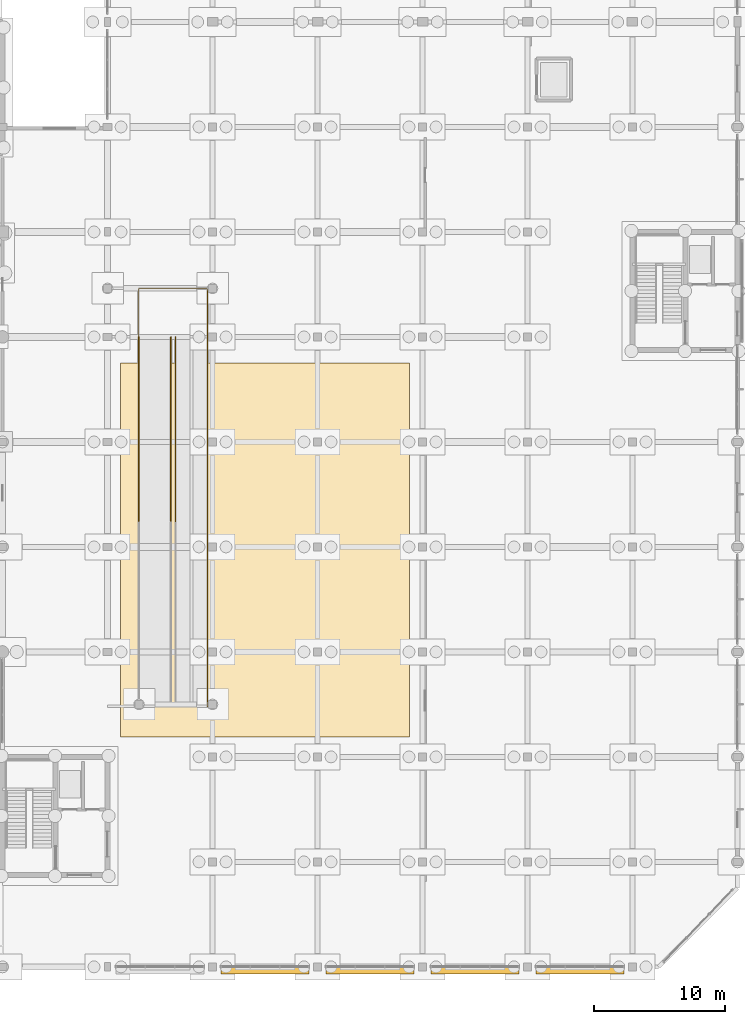
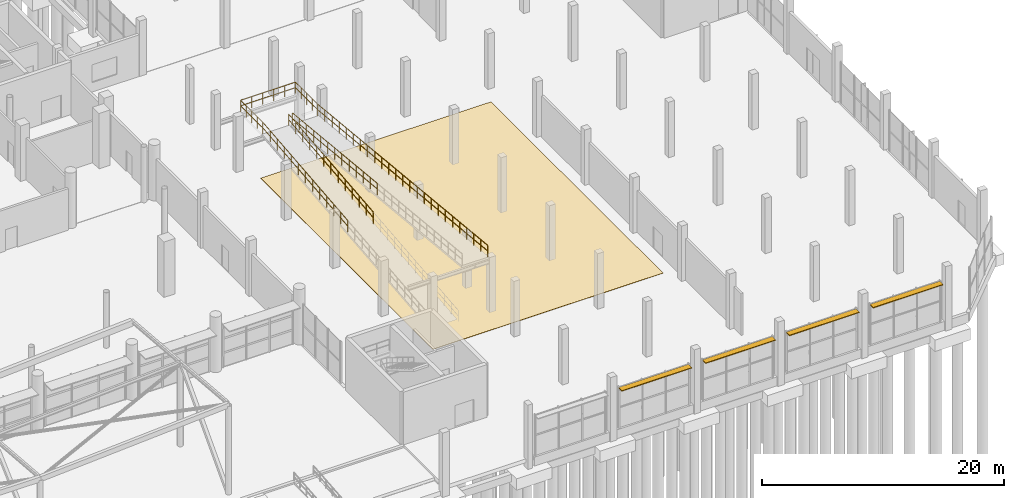
# One storey, part 94 of 98: 6 railings, 4 shading devices, 1 covering.
"""IFC4 building model written with IfcOpenShell, lengths in metres."""

from ifc_helpers import new_model, si_unit, derived_unit, direction, frame, origin, origin_2d, place, context, subcontext, project, spatial, polyline, rectangle, circle, outline, extrude, material, layer, layer_set, material_profile, profile_set, type_object, element, save


model = new_model("IFC4")

# Units and contexts
model_context = context("Model", 3, precision=1e-05, world=origin(), true_north=direction((0.0, 1.0)))
body_context = subcontext(model_context, "Body", "Model", "MODEL_VIEW")
ifc_project = project(units=[si_unit("LENGTHUNIT", "METRE"), si_unit("AREAUNIT", "SQUARE_METRE"), si_unit("VOLUMEUNIT", "CUBIC_METRE"), si_unit("PLANEANGLEUNIT", "RADIAN"), si_unit("MASSUNIT", "GRAM", prefix="KILO"), si_unit("THERMODYNAMICTEMPERATUREUNIT", "KELVIN"), derived_unit("THERMALTRANSMITTANCEUNIT", [(si_unit("POWERUNIT", "WATT"), 1), (si_unit("AREAUNIT", "SQUARE_METRE"), -1), (si_unit("THERMODYNAMICTEMPERATUREUNIT", "KELVIN"), -1)])], contexts=[model_context])

# Site, building, storey
site_placement = place(None, origin())
site = spatial("IfcSite", under=ifc_project, at=site_placement, CompositionType="ELEMENT")
building_placement = place(site_placement, origin())
building = spatial("IfcBuilding", under=site, at=building_placement, Name="Haiyu Intermodal Mobility Hub", CompositionType="ELEMENT")
storey_placement = place(building_placement, origin())
storey = spatial("IfcBuildingStorey", under=building, at=storey_placement, Name="L00", CompositionType="ELEMENT", Elevation=0.0)

# Covering
ifc_material_1 = material(Name="Acrylic sports court surfacing")
ifc_layer = layer(ifc_material_1, 0.030029296875)
ifc_layer_set = layer_set([ifc_layer], Name="Acrylic sports court surfacing")
covering_type = type_object("IfcCoveringType", Name="COV-CV07", PredefinedType="FLOORING", material=ifc_layer_set)
covering_placement = place(storey_placement, origin())
element("IfcCovering", 1, at=covering_placement, inside=storey, type_object=covering_type, Name="COV-FLR-003", PredefinedType="FLOORING", context=body_context, shape_type="SweptSolid", body=[
    extrude(outline(polyline([(163.0, 33.5), (185.0, 33.5), (185.0, 62.0), (163.0, 62.0), (163.0, 33.5)])), origin(), (0.0, 0.0, 1.0), 0.030029296875),
])

# Railings
ifc_material_2 = material(Name="Steel Q355C", Category="steel")
railing_type = type_object("IfcRailingType", Name="RAL-GR03", PredefinedType="GUARDRAIL", material=ifc_material_2)
railing_1_placement = place(storey_placement, frame((164.3798828125, 49.949951171875, 1.39990234375)))
element("IfcRailing", 2, at=railing_1_placement, inside=storey, type_object=railing_type, Name="RAL-RMP-BIKE-L00-F1WB", PredefinedType="GUARDRAIL", context=body_context, shape_type="SweptSolid", body=[
    extrude(circle(Radius=0.02392578125, at=origin_2d()), frame((0.0, 0.02978515625, 1.158935546875), z_axis=(0.0, 0.995071200002, 0.09916303206), x_axis=(-1.0, 0.0, 0.0)), (0.0, 0.0, 1.0), 14.0595703125),
    extrude(circle(Radius=0.02392578125, at=origin_2d()), frame((0.0, 0.037109375, 0.59375), z_axis=(0.0, 0.995071200002, 0.09916303206), x_axis=(-1.0, 0.0, 0.0)), (0.0, 0.0, 1.0), 1.10205078125),
    extrude(circle(Radius=0.02392578125, at=origin_2d()), frame((0.0, 1.2080078125, 0.71044921875), z_axis=(0.0, 0.995071200002, 0.09916303206), x_axis=(-1.0, 0.0, 0.0)), (0.0, 0.0, 1.0), 1.10205078125),
    extrude(circle(Radius=0.02392578125, at=origin_2d()), frame((0.0, 2.37890625, 0.826904296875), z_axis=(0.0, 0.995071200002, 0.09916303206), x_axis=(-1.0, 0.0, 0.0)), (0.0, 0.0, 1.0), 1.10205078125),
    extrude(circle(Radius=0.02392578125, at=origin_2d()), frame((0.0, 3.549560546875, 0.943603515625), z_axis=(0.0, 0.995071200002, 0.09916303206), x_axis=(-1.0, 0.0, 0.0)), (0.0, 0.0, 1.0), 1.10205078125),
    extrude(circle(Radius=0.02392578125, at=origin_2d()), frame((0.0, 4.720458984375, 1.060302734375), z_axis=(0.0, 0.995071200002, 0.09916303206), x_axis=(-1.0, 0.0, 0.0)), (0.0, 0.0, 1.0), 1.10205078125),
    extrude(circle(Radius=0.02392578125, at=origin_2d()), frame((0.0, 5.891357421875, 1.177001953125), z_axis=(0.0, 0.995071200002, 0.09916303206), x_axis=(-1.0, 0.0, 0.0)), (0.0, 0.0, 1.0), 1.10205078125),
    extrude(circle(Radius=0.02392578125, at=origin_2d()), frame((0.0, 7.062255859375, 1.293701171875), z_axis=(0.0, 0.995071200002, 0.09916303206), x_axis=(-1.0, 0.0, 0.0)), (0.0, 0.0, 1.0), 1.10205078125),
    extrude(circle(Radius=0.02392578125, at=origin_2d()), frame((0.0, 8.23291015625, 1.410400390625), z_axis=(0.0, 0.995071200002, 0.09916303206), x_axis=(-1.0, 0.0, 0.0)), (0.0, 0.0, 1.0), 1.10205078125),
    extrude(circle(Radius=0.02392578125, at=origin_2d()), frame((0.0, 9.40380859375, 1.527099609375), z_axis=(0.0, 0.995071200002, 0.09916303206), x_axis=(-1.0, 0.0, 0.0)), (0.0, 0.0, 1.0), 1.10205078125),
    extrude(circle(Radius=0.02392578125, at=origin_2d()), frame((0.0, 10.57470703125, 1.643798828125), z_axis=(0.0, 0.995071200002, 0.09916303206), x_axis=(-1.0, 0.0, 0.0)), (0.0, 0.0, 1.0), 1.10205078125),
    extrude(circle(Radius=0.02392578125, at=origin_2d()), frame((0.0, 11.74560546875, 1.760498046875), z_axis=(0.0, 0.995071200002, 0.09916303206), x_axis=(-1.0, 0.0, 0.0)), (0.0, 0.0, 1.0), 1.10205078125),
    extrude(circle(Radius=0.02392578125, at=origin_2d()), frame((0.0, 12.916259765625, 1.877197265625), z_axis=(0.0, 0.995071200002, 0.09916303206), x_axis=(-1.0, 0.0, 0.0)), (0.0, 0.0, 1.0), 1.10205078125),
    extrude(circle(Radius=0.02099609375, at=origin_2d()), origin(), (0.0, 0.0, 1.0), 1.123779296875),
    extrude(circle(Radius=0.02099609375, at=origin_2d()), frame((0.0, 1.1708984375, 0.11669921875)), (0.0, 0.0, 1.0), 1.123779296875),
    extrude(circle(Radius=0.02099609375, at=origin_2d()), frame((0.0, 2.341796875, 0.2333984375)), (0.0, 0.0, 1.0), 1.123779296875),
    extrude(circle(Radius=0.02099609375, at=origin_2d()), frame((0.0, 3.512451171875, 0.35009765625)), (0.0, 0.0, 1.0), 1.123779296875),
    extrude(circle(Radius=0.02099609375, at=origin_2d()), frame((0.0, 4.683349609375, 0.466796875)), (0.0, 0.0, 1.0), 1.123779296875),
    extrude(circle(Radius=0.02099609375, at=origin_2d()), frame((0.0, 5.854248046875, 0.58349609375)), (0.0, 0.0, 1.0), 1.123779296875),
    extrude(circle(Radius=0.02099609375, at=origin_2d()), frame((0.0, 7.02490234375, 0.7001953125)), (0.0, 0.0, 1.0), 1.123779296875),
    extrude(circle(Radius=0.02099609375, at=origin_2d()), frame((0.0, 8.19580078125, 0.816650390625)), (0.0, 0.0, 1.0), 1.123779296875),
    extrude(circle(Radius=0.02099609375, at=origin_2d()), frame((0.0, 9.36669921875, 0.933349609375)), (0.0, 0.0, 1.0), 1.123779296875),
    extrude(circle(Radius=0.02099609375, at=origin_2d()), frame((0.0, 10.53759765625, 1.050048828125)), (0.0, 0.0, 1.0), 1.123779296875),
    extrude(circle(Radius=0.02099609375, at=origin_2d()), frame((0.0, 11.70849609375, 1.166748046875)), (0.0, 0.0, 1.0), 1.123779296875),
    extrude(circle(Radius=0.02099609375, at=origin_2d()), frame((0.0, 12.879150390625, 1.283447265625)), (0.0, 0.0, 1.0), 1.123779296875),
    extrude(circle(Radius=0.02099609375, at=origin_2d()), frame((0.0, 14.050048828125, 1.400146484375)), (0.0, 0.0, 1.0), 1.123779296875),
])
railing_2_placement = place(storey_placement, frame((166.820068359375, 49.949951171875, 1.39990234375)))
element("IfcRailing", 3, at=railing_2_placement, inside=storey, type_object=railing_type, Name="RAL-RMP-BIKE-L00-F1EB", PredefinedType="GUARDRAIL", context=body_context, shape_type="SweptSolid", body=[
    extrude(circle(Radius=0.02392578125, at=origin_2d()), frame((0.0, 0.02978515625, 1.158935546875), z_axis=(0.0, 0.995071200002, 0.09916303206), x_axis=(-1.0, 0.0, 0.0)), (0.0, 0.0, 1.0), 14.0595703125),
    extrude(circle(Radius=0.02392578125, at=origin_2d()), frame((0.0, 0.037109375, 0.59375), z_axis=(0.0, 0.995071200002, 0.09916303206), x_axis=(-1.0, 0.0, 0.0)), (0.0, 0.0, 1.0), 1.10205078125),
    extrude(circle(Radius=0.02392578125, at=origin_2d()), frame((0.0, 1.2080078125, 0.71044921875), z_axis=(0.0, 0.995071200002, 0.09916303206), x_axis=(-1.0, 0.0, 0.0)), (0.0, 0.0, 1.0), 1.10205078125),
    extrude(circle(Radius=0.02392578125, at=origin_2d()), frame((0.0, 2.37890625, 0.826904296875), z_axis=(0.0, 0.995071200002, 0.09916303206), x_axis=(-1.0, 0.0, 0.0)), (0.0, 0.0, 1.0), 1.10205078125),
    extrude(circle(Radius=0.02392578125, at=origin_2d()), frame((0.0, 3.549560546875, 0.943603515625), z_axis=(0.0, 0.995071200002, 0.09916303206), x_axis=(-1.0, 0.0, 0.0)), (0.0, 0.0, 1.0), 1.10205078125),
    extrude(circle(Radius=0.02392578125, at=origin_2d()), frame((0.0, 4.720458984375, 1.060302734375), z_axis=(0.0, 0.995071200002, 0.09916303206), x_axis=(-1.0, 0.0, 0.0)), (0.0, 0.0, 1.0), 1.10205078125),
    extrude(circle(Radius=0.02392578125, at=origin_2d()), frame((0.0, 5.891357421875, 1.177001953125), z_axis=(0.0, 0.995071200002, 0.09916303206), x_axis=(-1.0, 0.0, 0.0)), (0.0, 0.0, 1.0), 1.10205078125),
    extrude(circle(Radius=0.02392578125, at=origin_2d()), frame((0.0, 7.062255859375, 1.293701171875), z_axis=(0.0, 0.995071200002, 0.09916303206), x_axis=(-1.0, 0.0, 0.0)), (0.0, 0.0, 1.0), 1.10205078125),
    extrude(circle(Radius=0.02392578125, at=origin_2d()), frame((0.0, 8.23291015625, 1.410400390625), z_axis=(0.0, 0.995071200002, 0.09916303206), x_axis=(-1.0, 0.0, 0.0)), (0.0, 0.0, 1.0), 1.10205078125),
    extrude(circle(Radius=0.02392578125, at=origin_2d()), frame((0.0, 9.40380859375, 1.527099609375), z_axis=(0.0, 0.995071200002, 0.09916303206), x_axis=(-1.0, 0.0, 0.0)), (0.0, 0.0, 1.0), 1.10205078125),
    extrude(circle(Radius=0.02392578125, at=origin_2d()), frame((0.0, 10.57470703125, 1.643798828125), z_axis=(0.0, 0.995071200002, 0.09916303206), x_axis=(-1.0, 0.0, 0.0)), (0.0, 0.0, 1.0), 1.10205078125),
    extrude(circle(Radius=0.02392578125, at=origin_2d()), frame((0.0, 11.74560546875, 1.760498046875), z_axis=(0.0, 0.995071200002, 0.09916303206), x_axis=(-1.0, 0.0, 0.0)), (0.0, 0.0, 1.0), 1.10205078125),
    extrude(circle(Radius=0.02392578125, at=origin_2d()), frame((0.0, 12.916259765625, 1.877197265625), z_axis=(0.0, 0.995071200002, 0.09916303206), x_axis=(-1.0, 0.0, 0.0)), (0.0, 0.0, 1.0), 1.10205078125),
    extrude(circle(Radius=0.02099609375, at=origin_2d()), origin(), (0.0, 0.0, 1.0), 1.123779296875),
    extrude(circle(Radius=0.02099609375, at=origin_2d()), frame((0.0, 1.1708984375, 0.11669921875)), (0.0, 0.0, 1.0), 1.123779296875),
    extrude(circle(Radius=0.02099609375, at=origin_2d()), frame((0.0, 2.341796875, 0.2333984375)), (0.0, 0.0, 1.0), 1.123779296875),
    extrude(circle(Radius=0.02099609375, at=origin_2d()), frame((0.0, 3.512451171875, 0.35009765625)), (0.0, 0.0, 1.0), 1.123779296875),
    extrude(circle(Radius=0.02099609375, at=origin_2d()), frame((0.0, 4.683349609375, 0.466796875)), (0.0, 0.0, 1.0), 1.123779296875),
    extrude(circle(Radius=0.02099609375, at=origin_2d()), frame((0.0, 5.854248046875, 0.58349609375)), (0.0, 0.0, 1.0), 1.123779296875),
    extrude(circle(Radius=0.02099609375, at=origin_2d()), frame((0.0, 7.02490234375, 0.7001953125)), (0.0, 0.0, 1.0), 1.123779296875),
    extrude(circle(Radius=0.02099609375, at=origin_2d()), frame((0.0, 8.19580078125, 0.816650390625)), (0.0, 0.0, 1.0), 1.123779296875),
    extrude(circle(Radius=0.02099609375, at=origin_2d()), frame((0.0, 9.36669921875, 0.933349609375)), (0.0, 0.0, 1.0), 1.123779296875),
    extrude(circle(Radius=0.02099609375, at=origin_2d()), frame((0.0, 10.53759765625, 1.050048828125)), (0.0, 0.0, 1.0), 1.123779296875),
    extrude(circle(Radius=0.02099609375, at=origin_2d()), frame((0.0, 11.70849609375, 1.166748046875)), (0.0, 0.0, 1.0), 1.123779296875),
    extrude(circle(Radius=0.02099609375, at=origin_2d()), frame((0.0, 12.879150390625, 1.283447265625)), (0.0, 0.0, 1.0), 1.123779296875),
    extrude(circle(Radius=0.02099609375, at=origin_2d()), frame((0.0, 14.050048828125, 1.400146484375)), (0.0, 0.0, 1.0), 1.123779296875),
])
railing_3_placement = place(storey_placement, frame((167.179931640625, 64.0, 2.800048828125)))
element("IfcRailing", 4, at=railing_3_placement, inside=storey, type_object=railing_type, Name="RAL-RMP-BIKE-L00-F2WA", PredefinedType="GUARDRAIL", context=body_context, shape_type="SweptSolid", body=[
    extrude(circle(Radius=0.02392578125, at=origin_2d()), frame((0.0, -0.02978515625, 1.158935546875), z_axis=(0.0, -0.995090197206, 0.098972215413), x_axis=(1.0, 0.0, 0.0)), (0.0, 0.0, 1.0), 14.08447265625),
    extrude(circle(Radius=0.02392578125, at=origin_2d()), frame((0.0, -0.037109375, 0.59375), z_axis=(0.0, -0.995090197206, 0.098972215413), x_axis=(1.0, 0.0, 0.0)), (0.0, 0.0, 1.0), 1.10400390625),
    extrude(circle(Radius=0.02392578125, at=origin_2d()), frame((0.0, -1.2099609375, 0.710205078125), z_axis=(0.0, -0.995090197206, 0.098972215413), x_axis=(1.0, 0.0, 0.0)), (0.0, 0.0, 1.0), 1.10400390625),
    extrude(circle(Radius=0.02392578125, at=origin_2d()), frame((0.0, -2.383056640625, 0.826904296875), z_axis=(0.0, -0.995090197206, 0.098972215413), x_axis=(1.0, 0.0, 0.0)), (0.0, 0.0, 1.0), 1.10400390625),
    extrude(circle(Radius=0.02392578125, at=origin_2d()), frame((0.0, -3.555908203125, 0.943603515625), z_axis=(0.0, -0.995090197206, 0.098972215413), x_axis=(1.0, 0.0, 0.0)), (0.0, 0.0, 1.0), 1.10400390625),
    extrude(circle(Radius=0.02392578125, at=origin_2d()), frame((0.0, -4.728759765625, 1.060302734375), z_axis=(0.0, -0.995090197206, 0.098972215413), x_axis=(1.0, 0.0, 0.0)), (0.0, 0.0, 1.0), 1.10400390625),
    extrude(circle(Radius=0.02392578125, at=origin_2d()), frame((0.0, -5.901611328125, 1.177001953125), z_axis=(0.0, -0.995090197206, 0.098972215413), x_axis=(1.0, 0.0, 0.0)), (0.0, 0.0, 1.0), 1.10400390625),
    extrude(circle(Radius=0.02392578125, at=origin_2d()), frame((0.0, -7.07470703125, 1.293701171875), z_axis=(0.0, -0.995090197206, 0.098972215413), x_axis=(1.0, 0.0, 0.0)), (0.0, 0.0, 1.0), 1.10400390625),
    extrude(circle(Radius=0.02392578125, at=origin_2d()), frame((0.0, -8.24755859375, 1.41015625), z_axis=(0.0, -0.995090197206, 0.098972215413), x_axis=(1.0, 0.0, 0.0)), (0.0, 0.0, 1.0), 1.10400390625),
    extrude(circle(Radius=0.02392578125, at=origin_2d()), frame((0.0, -9.42041015625, 1.52685546875), z_axis=(0.0, -0.995090197206, 0.098972215413), x_axis=(1.0, 0.0, 0.0)), (0.0, 0.0, 1.0), 1.10400390625),
    extrude(circle(Radius=0.02392578125, at=origin_2d()), frame((0.0, -10.59326171875, 1.6435546875), z_axis=(0.0, -0.995090197206, 0.098972215413), x_axis=(1.0, 0.0, 0.0)), (0.0, 0.0, 1.0), 1.10400390625),
    extrude(circle(Radius=0.02392578125, at=origin_2d()), frame((0.0, -11.766357421875, 1.76025390625), z_axis=(0.0, -0.995090197206, 0.098972215413), x_axis=(1.0, 0.0, 0.0)), (0.0, 0.0, 1.0), 1.10400390625),
    extrude(circle(Radius=0.02392578125, at=origin_2d()), frame((0.0, -12.939208984375, 1.876953125), z_axis=(0.0, -0.995090197206, 0.098972215413), x_axis=(1.0, 0.0, 0.0)), (0.0, 0.0, 1.0), 1.10400390625),
    extrude(circle(Radius=0.02099609375, at=origin_2d()), origin(), (0.0, 0.0, 1.0), 1.123779296875),
    extrude(circle(Radius=0.02099609375, at=origin_2d()), frame((0.0, -1.1728515625, 0.11669921875)), (0.0, 0.0, 1.0), 1.123779296875),
    extrude(circle(Radius=0.02099609375, at=origin_2d()), frame((0.0, -2.345703125, 0.2333984375)), (0.0, 0.0, 1.0), 1.123779296875),
    extrude(circle(Radius=0.02099609375, at=origin_2d()), frame((0.0, -3.518798828125, 0.35009765625)), (0.0, 0.0, 1.0), 1.123779296875),
    extrude(circle(Radius=0.02099609375, at=origin_2d()), frame((0.0, -4.691650390625, 0.466552734375)), (0.0, 0.0, 1.0), 1.123779296875),
    extrude(circle(Radius=0.02099609375, at=origin_2d()), frame((0.0, -5.864501953125, 0.583251953125)), (0.0, 0.0, 1.0), 1.123779296875),
    extrude(circle(Radius=0.02099609375, at=origin_2d()), frame((0.0, -7.03759765625, 0.699951171875)), (0.0, 0.0, 1.0), 1.123779296875),
    extrude(circle(Radius=0.02099609375, at=origin_2d()), frame((0.0, -8.21044921875, 0.816650390625)), (0.0, 0.0, 1.0), 1.123779296875),
    extrude(circle(Radius=0.02099609375, at=origin_2d()), frame((0.0, -9.38330078125, 0.933349609375)), (0.0, 0.0, 1.0), 1.123779296875),
    extrude(circle(Radius=0.02099609375, at=origin_2d()), frame((0.0, -10.55615234375, 1.0498046875)), (0.0, 0.0, 1.0), 1.123779296875),
    extrude(circle(Radius=0.02099609375, at=origin_2d()), frame((0.0, -11.72900390625, 1.16650390625)), (0.0, 0.0, 1.0), 1.123779296875),
    extrude(circle(Radius=0.02099609375, at=origin_2d()), frame((0.0, -12.902099609375, 1.283203125)), (0.0, 0.0, 1.0), 1.123779296875),
    extrude(circle(Radius=0.02099609375, at=origin_2d()), frame((0.0, -14.074951171875, 1.39990234375)), (0.0, 0.0, 1.0), 1.123779296875),
])
railing_4_placement = place(storey_placement, frame((169.6201171875, 64.0, 2.800048828125)))
element("IfcRailing", 5, at=railing_4_placement, inside=storey, type_object=railing_type, Name="RAL-RMP-BIKE-L00-F2EA", PredefinedType="GUARDRAIL", context=body_context, shape_type="SweptSolid", body=[
    extrude(circle(Radius=0.02392578125, at=origin_2d()), frame((0.0, -0.02978515625, 1.158935546875), z_axis=(0.0, -0.995090197206, 0.098972215413), x_axis=(1.0, 0.0, 0.0)), (0.0, 0.0, 1.0), 14.08447265625),
    extrude(circle(Radius=0.02392578125, at=origin_2d()), frame((0.0, -0.037109375, 0.59375), z_axis=(0.0, -0.995090197206, 0.098972215413), x_axis=(1.0, 0.0, 0.0)), (0.0, 0.0, 1.0), 1.10400390625),
    extrude(circle(Radius=0.02392578125, at=origin_2d()), frame((0.0, -1.2099609375, 0.710205078125), z_axis=(0.0, -0.995090197206, 0.098972215413), x_axis=(1.0, 0.0, 0.0)), (0.0, 0.0, 1.0), 1.10400390625),
    extrude(circle(Radius=0.02392578125, at=origin_2d()), frame((0.0, -2.383056640625, 0.826904296875), z_axis=(0.0, -0.995090197206, 0.098972215413), x_axis=(1.0, 0.0, 0.0)), (0.0, 0.0, 1.0), 1.10400390625),
    extrude(circle(Radius=0.02392578125, at=origin_2d()), frame((0.0, -3.555908203125, 0.943603515625), z_axis=(0.0, -0.995090197206, 0.098972215413), x_axis=(1.0, 0.0, 0.0)), (0.0, 0.0, 1.0), 1.10400390625),
    extrude(circle(Radius=0.02392578125, at=origin_2d()), frame((0.0, -4.728759765625, 1.060302734375), z_axis=(0.0, -0.995090197206, 0.098972215413), x_axis=(1.0, 0.0, 0.0)), (0.0, 0.0, 1.0), 1.10400390625),
    extrude(circle(Radius=0.02392578125, at=origin_2d()), frame((0.0, -5.901611328125, 1.177001953125), z_axis=(0.0, -0.995090197206, 0.098972215413), x_axis=(1.0, 0.0, 0.0)), (0.0, 0.0, 1.0), 1.10400390625),
    extrude(circle(Radius=0.02392578125, at=origin_2d()), frame((0.0, -7.07470703125, 1.293701171875), z_axis=(0.0, -0.995090197206, 0.098972215413), x_axis=(1.0, 0.0, 0.0)), (0.0, 0.0, 1.0), 1.10400390625),
    extrude(circle(Radius=0.02392578125, at=origin_2d()), frame((0.0, -8.24755859375, 1.41015625), z_axis=(0.0, -0.995090197206, 0.098972215413), x_axis=(1.0, 0.0, 0.0)), (0.0, 0.0, 1.0), 1.10400390625),
    extrude(circle(Radius=0.02392578125, at=origin_2d()), frame((0.0, -9.42041015625, 1.52685546875), z_axis=(0.0, -0.995090197206, 0.098972215413), x_axis=(1.0, 0.0, 0.0)), (0.0, 0.0, 1.0), 1.10400390625),
    extrude(circle(Radius=0.02392578125, at=origin_2d()), frame((0.0, -10.59326171875, 1.6435546875), z_axis=(0.0, -0.995090197206, 0.098972215413), x_axis=(1.0, 0.0, 0.0)), (0.0, 0.0, 1.0), 1.10400390625),
    extrude(circle(Radius=0.02392578125, at=origin_2d()), frame((0.0, -11.766357421875, 1.76025390625), z_axis=(0.0, -0.995090197206, 0.098972215413), x_axis=(1.0, 0.0, 0.0)), (0.0, 0.0, 1.0), 1.10400390625),
    extrude(circle(Radius=0.02392578125, at=origin_2d()), frame((0.0, -12.939208984375, 1.876953125), z_axis=(0.0, -0.995090197206, 0.098972215413), x_axis=(1.0, 0.0, 0.0)), (0.0, 0.0, 1.0), 1.10400390625),
    extrude(circle(Radius=0.02099609375, at=origin_2d()), origin(), (0.0, 0.0, 1.0), 1.123779296875),
    extrude(circle(Radius=0.02099609375, at=origin_2d()), frame((0.0, -1.1728515625, 0.11669921875)), (0.0, 0.0, 1.0), 1.123779296875),
    extrude(circle(Radius=0.02099609375, at=origin_2d()), frame((0.0, -2.345703125, 0.2333984375)), (0.0, 0.0, 1.0), 1.123779296875),
    extrude(circle(Radius=0.02099609375, at=origin_2d()), frame((0.0, -3.518798828125, 0.35009765625)), (0.0, 0.0, 1.0), 1.123779296875),
    extrude(circle(Radius=0.02099609375, at=origin_2d()), frame((0.0, -4.691650390625, 0.466552734375)), (0.0, 0.0, 1.0), 1.123779296875),
    extrude(circle(Radius=0.02099609375, at=origin_2d()), frame((0.0, -5.864501953125, 0.583251953125)), (0.0, 0.0, 1.0), 1.123779296875),
    extrude(circle(Radius=0.02099609375, at=origin_2d()), frame((0.0, -7.03759765625, 0.699951171875)), (0.0, 0.0, 1.0), 1.123779296875),
    extrude(circle(Radius=0.02099609375, at=origin_2d()), frame((0.0, -8.21044921875, 0.816650390625)), (0.0, 0.0, 1.0), 1.123779296875),
    extrude(circle(Radius=0.02099609375, at=origin_2d()), frame((0.0, -9.38330078125, 0.933349609375)), (0.0, 0.0, 1.0), 1.123779296875),
    extrude(circle(Radius=0.02099609375, at=origin_2d()), frame((0.0, -10.55615234375, 1.0498046875)), (0.0, 0.0, 1.0), 1.123779296875),
    extrude(circle(Radius=0.02099609375, at=origin_2d()), frame((0.0, -11.72900390625, 1.16650390625)), (0.0, 0.0, 1.0), 1.123779296875),
    extrude(circle(Radius=0.02099609375, at=origin_2d()), frame((0.0, -12.902099609375, 1.283203125)), (0.0, 0.0, 1.0), 1.123779296875),
    extrude(circle(Radius=0.02099609375, at=origin_2d()), frame((0.0, -14.074951171875, 1.39990234375)), (0.0, 0.0, 1.0), 1.123779296875),
])
railing_5_placement = place(storey_placement, frame((169.6201171875, 49.925048828125, 4.199951171875)))
element("IfcRailing", 6, at=railing_5_placement, inside=storey, type_object=railing_type, Name="RAL-RMP-BIKE-L00-F2EB", PredefinedType="GUARDRAIL", context=body_context, shape_type="SweptSolid", body=[
    extrude(circle(Radius=0.02392578125, at=origin_2d()), frame((0.0, -0.02978515625, 1.158935546875), z_axis=(0.0, -0.995088497131, 0.098989306882), x_axis=(1.0, 0.0, 0.0)), (0.0, 0.0, 1.0), 14.08447265625),
    extrude(circle(Radius=0.02392578125, at=origin_2d()), frame((0.0, -0.037109375, 0.59375), z_axis=(0.0, -0.995088497131, 0.098989306882), x_axis=(1.0, 0.0, 0.0)), (0.0, 0.0, 1.0), 1.10400390625),
    extrude(circle(Radius=0.02392578125, at=origin_2d()), frame((0.0, -1.2099609375, 0.71044921875), z_axis=(0.0, -0.995088497131, 0.098989306882), x_axis=(1.0, 0.0, 0.0)), (0.0, 0.0, 1.0), 1.10400390625),
    extrude(circle(Radius=0.02392578125, at=origin_2d()), frame((0.0, -2.383056640625, 0.826904296875), z_axis=(0.0, -0.995088497131, 0.098989306882), x_axis=(1.0, 0.0, 0.0)), (0.0, 0.0, 1.0), 1.10400390625),
    extrude(circle(Radius=0.02392578125, at=origin_2d()), frame((0.0, -3.555908203125, 0.943603515625), z_axis=(0.0, -0.995088497131, 0.098989306882), x_axis=(1.0, 0.0, 0.0)), (0.0, 0.0, 1.0), 1.10400390625),
    extrude(circle(Radius=0.02392578125, at=origin_2d()), frame((0.0, -4.728759765625, 1.060302734375), z_axis=(0.0, -0.995088497131, 0.098989306882), x_axis=(1.0, 0.0, 0.0)), (0.0, 0.0, 1.0), 1.10400390625),
    extrude(circle(Radius=0.02392578125, at=origin_2d()), frame((0.0, -5.901611328125, 1.177001953125), z_axis=(0.0, -0.995088497131, 0.098989306882), x_axis=(1.0, 0.0, 0.0)), (0.0, 0.0, 1.0), 1.10400390625),
    extrude(circle(Radius=0.02392578125, at=origin_2d()), frame((0.0, -7.07470703125, 1.293701171875), z_axis=(0.0, -0.995088497131, 0.098989306882), x_axis=(1.0, 0.0, 0.0)), (0.0, 0.0, 1.0), 1.10400390625),
    extrude(circle(Radius=0.02392578125, at=origin_2d()), frame((0.0, -8.24755859375, 1.410400390625), z_axis=(0.0, -0.995088497131, 0.098989306882), x_axis=(1.0, 0.0, 0.0)), (0.0, 0.0, 1.0), 1.10400390625),
    extrude(circle(Radius=0.02392578125, at=origin_2d()), frame((0.0, -9.42041015625, 1.527099609375), z_axis=(0.0, -0.995088497131, 0.098989306882), x_axis=(1.0, 0.0, 0.0)), (0.0, 0.0, 1.0), 1.10400390625),
    extrude(circle(Radius=0.02392578125, at=origin_2d()), frame((0.0, -10.59326171875, 1.643798828125), z_axis=(0.0, -0.995088497131, 0.098989306882), x_axis=(1.0, 0.0, 0.0)), (0.0, 0.0, 1.0), 1.10400390625),
    extrude(circle(Radius=0.02392578125, at=origin_2d()), frame((0.0, -11.766357421875, 1.760498046875), z_axis=(0.0, -0.995088497131, 0.098989306882), x_axis=(1.0, 0.0, 0.0)), (0.0, 0.0, 1.0), 1.10400390625),
    extrude(circle(Radius=0.02392578125, at=origin_2d()), frame((0.0, -12.939208984375, 1.877197265625), z_axis=(0.0, -0.995088497131, 0.098989306882), x_axis=(1.0, 0.0, 0.0)), (0.0, 0.0, 1.0), 1.10400390625),
    extrude(circle(Radius=0.02099609375, at=origin_2d()), origin(), (0.0, 0.0, 1.0), 1.123779296875),
    extrude(circle(Radius=0.02099609375, at=origin_2d()), frame((0.0, -1.1728515625, 0.11669921875)), (0.0, 0.0, 1.0), 1.123779296875),
    extrude(circle(Radius=0.02099609375, at=origin_2d()), frame((0.0, -2.345703125, 0.2333984375)), (0.0, 0.0, 1.0), 1.123779296875),
    extrude(circle(Radius=0.02099609375, at=origin_2d()), frame((0.0, -3.518798828125, 0.35009765625)), (0.0, 0.0, 1.0), 1.123779296875),
    extrude(circle(Radius=0.02099609375, at=origin_2d()), frame((0.0, -4.691650390625, 0.466796875)), (0.0, 0.0, 1.0), 1.123779296875),
    extrude(circle(Radius=0.02099609375, at=origin_2d()), frame((0.0, -5.864501953125, 0.58349609375)), (0.0, 0.0, 1.0), 1.123779296875),
    extrude(circle(Radius=0.02099609375, at=origin_2d()), frame((0.0, -7.03759765625, 0.7001953125)), (0.0, 0.0, 1.0), 1.123779296875),
    extrude(circle(Radius=0.02099609375, at=origin_2d()), frame((0.0, -8.21044921875, 0.816650390625)), (0.0, 0.0, 1.0), 1.123779296875),
    extrude(circle(Radius=0.02099609375, at=origin_2d()), frame((0.0, -9.38330078125, 0.933349609375)), (0.0, 0.0, 1.0), 1.123779296875),
    extrude(circle(Radius=0.02099609375, at=origin_2d()), frame((0.0, -10.55615234375, 1.050048828125)), (0.0, 0.0, 1.0), 1.123779296875),
    extrude(circle(Radius=0.02099609375, at=origin_2d()), frame((0.0, -11.72900390625, 1.166748046875)), (0.0, 0.0, 1.0), 1.123779296875),
    extrude(circle(Radius=0.02099609375, at=origin_2d()), frame((0.0, -12.902099609375, 1.283447265625)), (0.0, 0.0, 1.0), 1.123779296875),
    extrude(circle(Radius=0.02099609375, at=origin_2d()), frame((0.0, -14.074951171875, 1.400146484375)), (0.0, 0.0, 1.0), 1.123779296875),
])
railing_6_placement = place(storey_placement, frame((164.3798828125, 64.0, 2.800048828125)))
element("IfcRailing", 7, at=railing_6_placement, inside=storey, type_object=railing_type, Name="RAL-RMP-BIKE-L00-LND", PredefinedType="GUARDRAIL", context=body_context, shape_type="SweptSolid", body=[
    extrude(circle(Radius=0.02392578125, at=origin_2d()), frame((0.0, 0.030029296875, 1.15576171875), z_axis=(0.0, 1.0, 0.0), x_axis=(-1.0, 0.0, 0.0)), (0.0, 0.0, 1.0), 3.639892578125),
    extrude(circle(Radius=0.02392578125, at=origin_2d()), frame((0.0, 0.037353515625, 0.58984375), z_axis=(0.0, 1.0, 0.0), x_axis=(-1.0, 0.0, 0.0)), (0.0, 0.0, 1.0), 0.850341796875),
    extrude(circle(Radius=0.02392578125, at=origin_2d()), frame((0.0, 0.96240234375, 0.58984375), z_axis=(0.0, 1.0, 0.0), x_axis=(-1.0, 0.0, 0.0)), (0.0, 0.0, 1.0), 0.850341796875),
    extrude(circle(Radius=0.02392578125, at=origin_2d()), frame((0.0, 1.88720703125, 0.58984375), z_axis=(0.0, 1.0, 0.0), x_axis=(-1.0, 0.0, 0.0)), (0.0, 0.0, 1.0), 0.850341796875),
    extrude(circle(Radius=0.02392578125, at=origin_2d()), frame((0.0, 2.812255859375, 0.58984375), z_axis=(0.0, 1.0, 0.0), x_axis=(-1.0, 0.0, 0.0)), (0.0, 0.0, 1.0), 0.850341796875),
    extrude(circle(Radius=0.02392578125, at=origin_2d()), frame((0.030029296875, 3.699951171875, 1.15576171875), z_axis=(1.0, 0.0, 0.0), x_axis=(0.0, 1.0, 0.0)), (0.0, 0.0, 1.0), 5.18017578125),
    extrude(circle(Radius=0.02392578125, at=origin_2d()), frame((0.037353515625, 3.699951171875, 0.58984375), z_axis=(1.0, 0.0, 0.0), x_axis=(0.0, 1.0, 0.0)), (0.0, 0.0, 1.0), 0.973388671875),
    extrude(circle(Radius=0.02392578125, at=origin_2d()), frame((1.08544921875, 3.699951171875, 0.58984375), z_axis=(1.0, 0.0, 0.0), x_axis=(0.0, 1.0, 0.0)), (0.0, 0.0, 1.0), 0.973388671875),
    extrude(circle(Radius=0.02392578125, at=origin_2d()), frame((2.13330078125, 3.699951171875, 0.58984375), z_axis=(1.0, 0.0, 0.0), x_axis=(0.0, 1.0, 0.0)), (0.0, 0.0, 1.0), 0.973388671875),
    extrude(circle(Radius=0.02392578125, at=origin_2d()), frame((3.181396484375, 3.699951171875, 0.58984375), z_axis=(1.0, 0.0, 0.0), x_axis=(0.0, 1.0, 0.0)), (0.0, 0.0, 1.0), 0.973388671875),
    extrude(circle(Radius=0.02392578125, at=origin_2d()), frame((4.2294921875, 3.699951171875, 0.58984375), z_axis=(1.0, 0.0, 0.0), x_axis=(0.0, 1.0, 0.0)), (0.0, 0.0, 1.0), 0.973388671875),
    extrude(circle(Radius=0.02392578125, at=origin_2d()), frame((5.240234375, 3.669921875, 1.15576171875), z_axis=(0.0, -1.0, 0.0), x_axis=(1.0, 0.0, 0.0)), (0.0, 0.0, 1.0), 3.639892578125),
    extrude(circle(Radius=0.02392578125, at=origin_2d()), frame((5.240234375, 3.66259765625, 0.58984375), z_axis=(0.0, -1.0, 0.0), x_axis=(1.0, 0.0, 0.0)), (0.0, 0.0, 1.0), 0.850341796875),
    extrude(circle(Radius=0.02392578125, at=origin_2d()), frame((5.240234375, 2.737548828125, 0.58984375), z_axis=(0.0, -1.0, 0.0), x_axis=(1.0, 0.0, 0.0)), (0.0, 0.0, 1.0), 0.850341796875),
    extrude(circle(Radius=0.02392578125, at=origin_2d()), frame((5.240234375, 1.812744140625, 0.58984375), z_axis=(0.0, -1.0, 0.0), x_axis=(1.0, 0.0, 0.0)), (0.0, 0.0, 1.0), 0.850341796875),
    extrude(circle(Radius=0.02392578125, at=origin_2d()), frame((5.240234375, 0.8876953125, 0.58984375), z_axis=(0.0, -1.0, 0.0), x_axis=(1.0, 0.0, 0.0)), (0.0, 0.0, 1.0), 0.850341796875),
    extrude(circle(Radius=0.02099609375, at=origin_2d()), origin(), (0.0, 0.0, 1.0), 1.123779296875),
    extrude(circle(Radius=0.02099609375, at=origin_2d()), frame((0.0, 0.925048828125, 0.0)), (0.0, 0.0, 1.0), 1.123779296875),
    extrude(circle(Radius=0.02099609375, at=origin_2d()), frame((0.0, 1.85009765625, 0.0)), (0.0, 0.0, 1.0), 1.123779296875),
    extrude(circle(Radius=0.02099609375, at=origin_2d()), frame((0.0, 2.77490234375, 0.0)), (0.0, 0.0, 1.0), 1.123779296875),
    extrude(circle(Radius=0.02099609375, at=origin_2d()), frame((0.0, 3.699951171875, 0.0)), (0.0, 0.0, 1.0), 1.123779296875),
    extrude(circle(Radius=0.02099609375, at=origin_2d()), frame((1.048095703125, 3.699951171875, 0.0)), (0.0, 0.0, 1.0), 1.123779296875),
    extrude(circle(Radius=0.02099609375, at=origin_2d()), frame((2.09619140625, 3.699951171875, 0.0)), (0.0, 0.0, 1.0), 1.123779296875),
    extrude(circle(Radius=0.02099609375, at=origin_2d()), frame((3.14404296875, 3.699951171875, 0.0)), (0.0, 0.0, 1.0), 1.123779296875),
    extrude(circle(Radius=0.02099609375, at=origin_2d()), frame((4.192138671875, 3.699951171875, 0.0)), (0.0, 0.0, 1.0), 1.123779296875),
    extrude(circle(Radius=0.02099609375, at=origin_2d()), frame((5.240234375, 3.699951171875, 0.0)), (0.0, 0.0, 1.0), 1.123779296875),
    extrude(circle(Radius=0.02099609375, at=origin_2d()), frame((5.240234375, 2.77490234375, 0.0)), (0.0, 0.0, 1.0), 1.123779296875),
    extrude(circle(Radius=0.02099609375, at=origin_2d()), frame((5.240234375, 1.85009765625, 0.0)), (0.0, 0.0, 1.0), 1.123779296875),
    extrude(circle(Radius=0.02099609375, at=origin_2d()), frame((5.240234375, 0.925048828125, 0.0)), (0.0, 0.0, 1.0), 1.123779296875),
    extrude(circle(Radius=0.02099609375, at=origin_2d()), frame((5.240234375, 0.0, 0.0)), (0.0, 0.0, 1.0), 1.123779296875),
])

# Shading devices
ifc_material_3 = material(Name="Anodised aluminium 6063-T6", Category="aluminium")
ifc_material_profile = material_profile(ifc_material_3, rectangle(XDim=0.080078125, YDim=0.449951171875, at=origin_2d()), Name="FIN80x450")
ifc_profile_set = profile_set([ifc_material_profile], Name="Anodised aluminium 6063-T6")
shading_device_type = type_object("IfcShadingDeviceType", Name="SHD-SD01", PredefinedType="JALOUSIE", material=ifc_profile_set)
for number, where, z_axis, x_axis, name in (
    (8, (174.0, 15.75, 4.0126953125), (0.0, 0.0, 1.0), (1.0, 0.0, 0.0), "SHD-V5S-012"),
    (9, (182.0, 15.75, 4.0126953125), (0.0, 0.0, 1.0), (1.0, 0.0, 0.0), "SHD-V5S-013"),
    (10, (190.0, 15.75, 4.0126953125), (0.0, 0.0, 1.0), (1.0, 0.0, 0.0), "SHD-V5S-014"),
    (11, (198.0, 15.75, 4.0126953125), (0.0, 0.0, 1.0), (1.0, 0.0, 0.0), "SHD-V5S-015"),
):
    element("IfcShadingDevice", number, at=place(storey_placement, frame(where, z_axis=z_axis, x_axis=x_axis)), inside=storey, type_object=shading_device_type, Name=name, PredefinedType="JALOUSIE", context=body_context, shape_type="SweptSolid", body=[
        extrude(rectangle(XDim=6.699951171875, YDim=0.550048828125, at=origin_2d()), origin(), (0.0, 0.0, 1.0), 0.074951171875),
    ])

save(model, "model.ifc")
